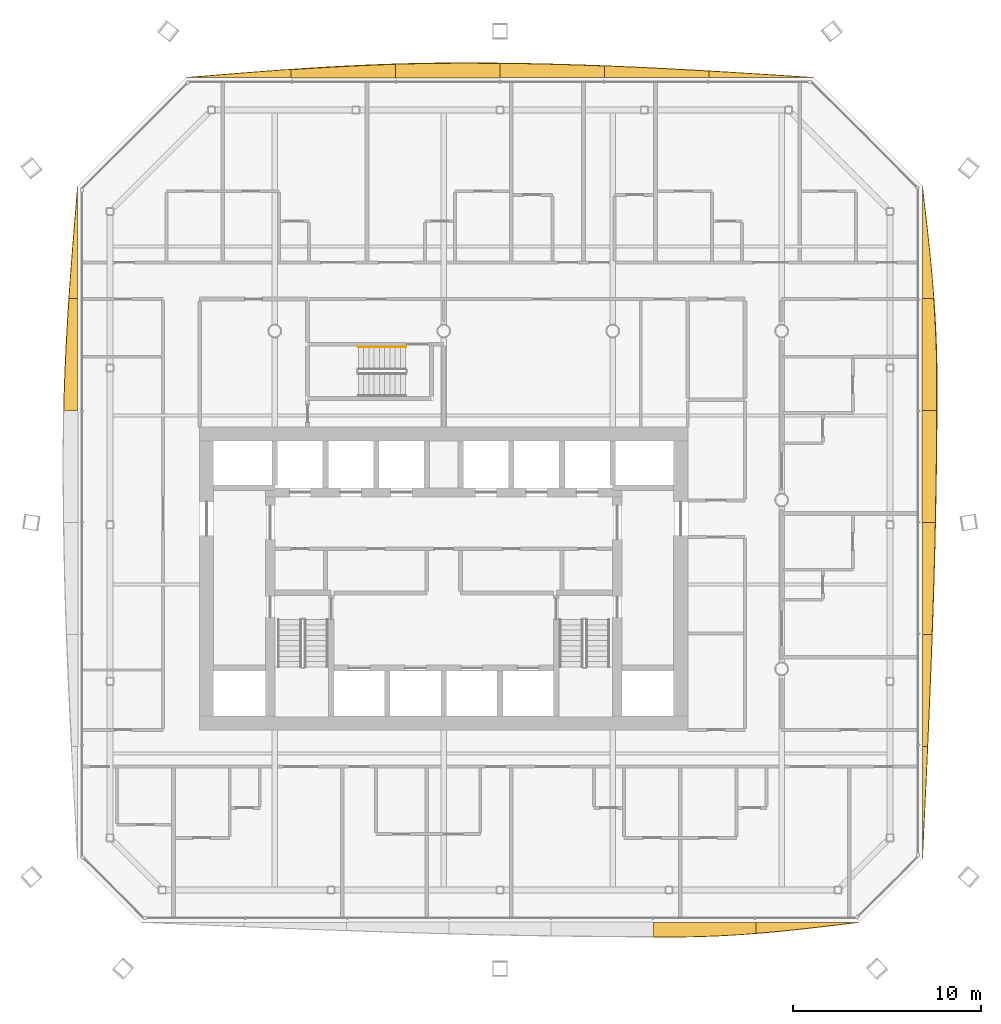
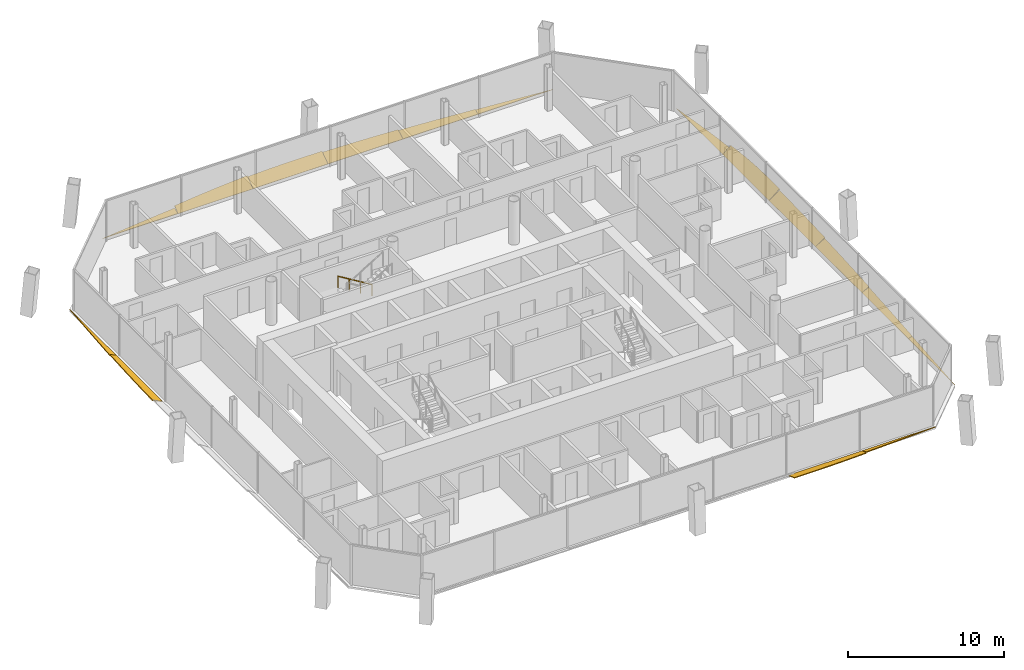
# One storey, part 21 of 21: 16 shading devices, 1 railing.
"""IFC4 building model written with IfcOpenShell, lengths in metres."""

import ifcopenshell
import ifcopenshell.guid

model = None  # the IFC model being written
_history = None  # IfcOwnerHistory: only IFC2X3 demands one
_inside = {}  # id of a spatial element -> (the spatial element, [elements in it])
_under = {}  # id of a project, library or spatial element -> (it, [spatial elements below it])
_declared = {}  # id of a project -> (the project, [libraries it declares])
_typed = {}  # id of a type object -> (the type object, [elements of that type])
_made_of = {}  # id of a material, layer set ... -> (it, [elements and type objects made of it])


def new_model(schema):
    """Start an empty IFC model of exactly this schema.

    Asked for "IFC4X3", IfcOpenShell would pick the latest addendum, in which some entities
    have other attributes; the version numbers below select the first issue.
    IFC2X3 requires an IfcOwnerHistory on every rooted entity: one is made here for all.
    """
    global model, _history
    if schema == "IFC4X3":
        model = ifcopenshell.file(schema_version=(4, 3, 0, 0))
    else:
        model = ifcopenshell.file(schema=schema)
    _inside.clear()
    _under.clear()
    _declared.clear()
    _typed.clear()
    _made_of.clear()
    _history = None
    if model.schema == "IFC2X3":
        org = make("IfcOrganization", Name="unknown")
        user = make(
            "IfcPersonAndOrganization",
            ThePerson=make("IfcPerson", FamilyName="unknown"),
            TheOrganization=org,
        )
        app = make(
            "IfcApplication",
            ApplicationDeveloper=org,
            Version="unknown",
            ApplicationFullName="unknown",
            ApplicationIdentifier="unknown",
        )
        _history = make(
            "IfcOwnerHistory",
            OwningUser=user,
            OwningApplication=app,
            ChangeAction="ADDED",
            CreationDate=0,
        )
    return model


def make(cls, **values):
    """One entity of the class cls with the attributes given. An attribute that is None is left unset."""
    return model.create_entity(
        cls, **{name: value for name, value in values.items() if value is not None}
    )


def rooted(cls, **values):
    """An entity with a GlobalId (a new one), such as an element, a storey or a relation."""
    return make(cls, GlobalId=ifcopenshell.guid.new(), OwnerHistory=_history, **values)


def si_unit(unit_type, name, prefix=None):
    """IfcSIUnit, for example si_unit("LENGTHUNIT", "METRE", prefix="MILLI")."""
    return make("IfcSIUnit", UnitType=unit_type, Prefix=prefix, Name=name)


def assignment(units):
    """IfcUnitAssignment: the units of a project."""
    return None if units is None else make("IfcUnitAssignment", Units=units)


def point(xyz):
    """IfcCartesianPoint."""
    return None if xyz is None else make("IfcCartesianPoint", Coordinates=xyz)


def direction(xyz):
    """IfcDirection."""
    return None if xyz is None else make("IfcDirection", DirectionRatios=xyz)


def frame(location, z_axis=None, x_axis=None):
    """IfcAxis2Placement3D, a coordinate frame: its origin and axes. An axis left out is left unset."""
    return make(
        "IfcAxis2Placement3D",
        Location=point(location),
        Axis=direction(z_axis),
        RefDirection=direction(x_axis),
    )


def frame_2d(location, x_axis=None):
    """IfcAxis2Placement2D, a coordinate frame in the plane: its origin and x axis."""
    return make(
        "IfcAxis2Placement2D", Location=point(location), RefDirection=direction(x_axis)
    )


def origin():
    """The frame at (0, 0, 0) with its axes left unset."""
    return frame((0.0, 0.0, 0.0))


def origin_2d():
    """The frame at (0, 0) in the plane with its x axis left unset."""
    return frame_2d((0.0, 0.0))


def place(relative_to, where):
    """IfcLocalPlacement: puts the frame where relative to a parent placement (None: the world)."""
    return make(
        "IfcLocalPlacement", PlacementRelTo=relative_to, RelativePlacement=where
    )


def context(
    kind, dimensions, precision=None, world=None, true_north=None, identifier=None
):
    """IfcGeometricRepresentationContext, for example the 3D "Model" context."""
    return make(
        "IfcGeometricRepresentationContext",
        ContextIdentifier=identifier,
        ContextType=kind,
        CoordinateSpaceDimension=dimensions,
        Precision=precision,
        WorldCoordinateSystem=world,
        TrueNorth=true_north,
    )


def subcontext(parent, identifier, kind, view, scale=None):
    """IfcGeometricRepresentationSubContext, for example "Body" below "Model"."""
    return make(
        "IfcGeometricRepresentationSubContext",
        ContextIdentifier=identifier,
        ContextType=kind,
        ParentContext=parent,
        TargetScale=scale,
        TargetView=view,
    )


def project(units=None, contexts=None):
    """IfcProject with its units and contexts."""
    return rooted(
        "IfcProject",
        Name="project",
        RepresentationContexts=contexts,
        UnitsInContext=assignment(units),
    )


def spatial(cls, under=None, at=None, **own):
    """A site, building, storey or space (cls), placed at a placement, below another one or the project."""
    s = rooted(cls, ObjectPlacement=at, **own)
    if under is not None:
        _under.setdefault(under.id(), (under, []))[1].append(s)
    return s


def polyline(points):
    """IfcPolyline through the points."""
    return make("IfcPolyline", Points=[point(p) for p in points])


def profile(cls, at=None, kind="AREA", **sizes):
    """A parametric profile (cls). Its sizes go by their IFC names, for example OverallWidth=200.0."""
    return make(cls, ProfileType=kind, Position=at, **sizes)


def circle(**sizes):
    """IfcCircleProfileDef."""
    return profile("IfcCircleProfileDef", **sizes)


def outline(outer, holes=None, kind="AREA"):
    """IfcArbitraryClosedProfileDef: a profile drawn as a closed curve; with holes, ...WithVoids."""
    if holes is None:
        return make("IfcArbitraryClosedProfileDef", ProfileType=kind, OuterCurve=outer)
    return make(
        "IfcArbitraryProfileDefWithVoids",
        ProfileType=kind,
        OuterCurve=outer,
        InnerCurves=holes,
    )


def extrude(swept, where, along, depth):
    """IfcExtrudedAreaSolid: the profile swept, set in the frame where, extruded along a direction by depth."""
    return make(
        "IfcExtrudedAreaSolid",
        SweptArea=swept,
        Position=where,
        ExtrudedDirection=direction(along),
        Depth=depth,
    )


def shape(context_of_items, identifier, shape_type, items):
    """IfcShapeRepresentation: the items that make up one representation, for example the "Body"."""
    return make(
        "IfcShapeRepresentation",
        ContextOfItems=context_of_items,
        RepresentationIdentifier=identifier,
        RepresentationType=shape_type,
        Items=items,
    )


def material(Name=None, Category=None):
    """IfcMaterial."""
    return make("IfcMaterial", Name=Name, Category=Category)


def layer(
    of_material, thickness, ventilated=None, Name=None, Category=None, Priority=None
):
    """IfcMaterialLayer: one layer of a wall or slab, of a material (None: an air gap)."""
    return make(
        "IfcMaterialLayer",
        Material=of_material,
        LayerThickness=thickness,
        IsVentilated=ventilated,
        Name=Name,
        Category=Category,
        Priority=Priority,
    )


def layer_set(layers, Name=None):
    """IfcMaterialLayerSet."""
    return make("IfcMaterialLayerSet", MaterialLayers=layers, LayerSetName=Name)


def made_of(thing, what):
    """Note that an element or type object is made of a material, layer set ...; save() writes the relation."""
    if what is not None:
        _made_of.setdefault(what.id(), (what, []))[1].append(thing)
    return thing


def type_object(cls, material=None, **own):
    """A type object (cls), such as IfcWallType, which elements share."""
    return made_of(rooted(cls, **own), material)


def element(
    cls,
    number,
    at=None,
    inside=None,
    cuts=None,
    type_object=None,
    material=None,
    context=None,
    identifier="Body",
    shape_type=None,
    held_by="IfcProductDefinitionShape",
    body=None,
    shapes=None,
    **own,
):
    """One element of the class cls, such as IfcWall. Its Tag is "e" and its number.

    at: its placement. inside: the storey or other place that contains it. cuts: it is an
    opening in that element (IfcRelVoidsElement). A single representation is given by context,
    identifier, shape_type and body (its items); several are given by shapes. held_by: the class
    of the entity that holds the representations. save() writes the other relations.
    """
    e = rooted(cls, Tag="e%d" % number, ObjectPlacement=at, **own)
    if body is not None:
        shapes = [shape(context, identifier, shape_type, body)]
    if shapes is not None:
        e.Representation = make(held_by, Representations=shapes)
    if inside is not None:
        _inside.setdefault(inside.id(), (inside, []))[1].append(e)
    if cuts is not None:
        rooted(
            "IfcRelVoidsElement", RelatingBuildingElement=cuts, RelatedOpeningElement=e
        )
    if type_object is not None:
        _typed.setdefault(type_object.id(), (type_object, []))[1].append(e)
    return made_of(e, material)


def aggregate(whole, parts):
    """IfcRelAggregates: a whole, such as a stair, and the parts it consists of."""
    return rooted("IfcRelAggregates", RelatingObject=whole, RelatedObjects=parts)


def save(model, path):
    """Write the relations noted so far, then the file.

    IfcRelAggregates (storeys below a building ...), IfcRelContainedInSpatialStructure (elements
    in a storey), IfcRelDefinesByType, IfcRelAssociatesMaterial and IfcRelDeclares: one each for
    every whole, place, type object, material and project.
    """
    for whole, parts in _under.values():
        aggregate(whole, parts)
    for where, things in _inside.values():
        rooted(
            "IfcRelContainedInSpatialStructure",
            RelatedElements=things,
            RelatingStructure=where,
        )
    for kind, things in _typed.values():
        rooted("IfcRelDefinesByType", RelatedObjects=things, RelatingType=kind)
    for what, things in _made_of.values():
        rooted("IfcRelAssociatesMaterial", RelatedObjects=things, RelatingMaterial=what)
    for by, libraries in _declared.values():
        rooted("IfcRelDeclares", RelatingContext=by, RelatedDefinitions=libraries)
    model.write(path)


model = new_model("IFC4")

# Units and contexts
model_context = context("Model", 3, precision=1e-05, world=origin(), true_north=direction((0.0, 1.0)))
body_context = subcontext(model_context, "Body", "Model", "MODEL_VIEW")
ifc_project = project(units=[si_unit("LENGTHUNIT", "METRE"), si_unit("AREAUNIT", "SQUARE_METRE"), si_unit("VOLUMEUNIT", "CUBIC_METRE"), si_unit("PLANEANGLEUNIT", "RADIAN"), si_unit("MASSUNIT", "GRAM", prefix="KILO")], contexts=[model_context])

# Site, building, storey
site_placement = place(None, origin())
site = spatial("IfcSite", under=ifc_project, at=site_placement, CompositionType="ELEMENT")
building_placement = place(site_placement, origin())
building = spatial("IfcBuilding", under=site, at=building_placement, Name="Tskaro Facet Tower", CompositionType="ELEMENT")
storey_placement = place(building_placement, frame((0.0, 0.0, 148.699951171875)))
storey = spatial("IfcBuildingStorey", under=building, at=storey_placement, Name="L36", CompositionType="ELEMENT", Elevation=148.699951171875)

# Shading devices
ifc_material_1 = material(Name="Bronze anodised aluminium 6063-T6", Category="aluminium")
ifc_layer = layer(ifc_material_1, 0.06005859375, Name="Bronze anodised aluminium 6063-T6")
ifc_layer_set = layer_set([ifc_layer], Name="Bronze anodised aluminium 6063-T6")
shading_device_type = type_object("IfcShadingDeviceType", Name="Bronze sun blade (FN1)", PredefinedType="USERDEFINED", material=ifc_layer_set)
shading_device_1_placement = place(storey_placement, frame((11.18017578125, -22.50146484375, 0.056396484375), z_axis=(8.34997e-07, 0.342044267718, 0.939683839874), x_axis=(1.0, -2.85606e-07, -7.84633e-07)))
element("IfcShadingDevice", 1, at=shading_device_1_placement, inside=storey, type_object=shading_device_type, Name="Fin blade south 6", ObjectType="FIN", PredefinedType="USERDEFINED", context=body_context, shape_type="SweptSolid", body=[
    extrude(outline(polyline([(0.0, 0.0), (5.453369140623099, 2.886989584780778e-22), (5.453369140547686, -0.6292962168709179), (4.7717285155624545, -0.6835904763631871), (4.090087890592552, -0.730083709942094), (3.408447265620355, -0.7680041657064322), (2.7265625000729687, -0.7968095067549643), (2.044921875008832, -0.816583239988989), (1.3632812500466103, -0.8266995216059706), (0.9816894532069896, -0.8282430254083833), (0.6816406250123663, -0.828013610408414), (-7.474738104329136e-11, -0.8270124435072383), (0.0, 0.0)])), origin(), (0.0, 0.0, -1.0), 0.06005859375),
])
shading_device_2_placement = place(storey_placement, frame((16.633544921875, -22.49658203125, 0.054443359375), z_axis=(2.45085e-06, 0.422479565405, 0.906372449277), x_axis=(0.999999999997, -1.035434e-06, -2.221383e-06)))
element("IfcShadingDevice", 2, at=shading_device_2_placement, inside=storey, type_object=shading_device_type, Name="Fin blade south 7", ObjectType="FIN", PredefinedType="USERDEFINED", context=body_context, shape_type="SweptSolid", body=[
    extrude(outline(polyline([(0.0, 0.0), (5.453369140608622, 5.773979169561556e-22), (4.771728515545389, -0.09240294935744643), (4.090087890808441, -0.18393576285584673), (3.4084472654233573, -0.2731676020525526), (2.7268066405115463, -0.35934646899961986), (2.0451660158937104, -0.4411596631655025), (1.3632812501864746, -0.5179433375414502), (0.6816406247133315, -0.5886060739321667), (-2.931196365066632e-11, -0.652395874389708), (0.0, 0.0)])), origin(), (0.0, 0.0, -1.0), 0.06005859375),
])
shading_device_3_placement = place(storey_placement, frame((25.50146484375, -19.0869140625, 0.056396484375), z_axis=(-0.342343713569, 2.509793e-05, 0.939574787417), x_axis=(8.592119e-06, 0.999999999685, -2.3581382e-05)))
element("IfcShadingDevice", 3, at=shading_device_3_placement, inside=storey, type_object=shading_device_type, Name="Fin blade east 1", ObjectType="FIN", PredefinedType="USERDEFINED", context=body_context, shape_type="SweptSolid", body=[
    extrude(outline(polyline([(0.0, 0.0), (5.963867185621662, 0.0), (5.963867189363469, -0.2985036873533127), (5.218261719226414, -0.2626690910671219), (4.472900389178398, -0.2260627496449897), (3.7272949221649485, -0.18914343983872914), (2.9819335915810505, -0.1517653532806556), (2.236328124031718, -0.11407429833845367), (1.4909667950096237, -0.07615385502034526), (0.7453613253626062, -0.03823341170223685), (0.0, 0.0)])), origin(), (0.0, 0.0, -1.0), 0.06005859375),
])
shading_device_4_placement = place(storey_placement, frame((25.49658203125, -13.123046875, 0.054443359375), z_axis=(-0.422565104982, 1.8417371e-05, 0.906332572355), x_axis=(7.782538e-06, 0.99999999983, -1.6692264e-05)))
element("IfcShadingDevice", 4, at=shading_device_4_placement, inside=storey, type_object=shading_device_type, Name="Fin blade east 2", ObjectType="FIN", PredefinedType="USERDEFINED", context=body_context, shape_type="SweptSolid", body=[
    extrude(outline(polyline([(0.0, 0.0), (5.963623045863571, 0.0), (5.963623048351649, -0.5774705994648798), (5.218261717287552, -0.5476479100346434), (4.472656248324108, -0.5164093616743028), (3.727294922436038, -0.4843006648941296), (2.981689452398135, -0.4512037124022645), (2.236328123535575, -0.4170153388898564), (1.4907226564984741, -0.38195681695761563), (0.7453613284614901, -0.34613131191439317), (-1.2003358024977896e-09, -0.30953882376018904), (0.0, 0.0)])), origin(), (0.0, 0.0, -1.0), 0.06005859375),
])
shading_device_5_placement = place(storey_placement, frame((25.491943359375, -7.159423828125, 0.052001953125), z_axis=(-0.500014380531, 1.1975839e-05, 0.866017100939), x_axis=(5.988092e-06, 0.999999999928, -1.0371281e-05)))
element("IfcShadingDevice", 5, at=shading_device_5_placement, inside=storey, type_object=shading_device_type, Name="Fin blade east 3", ObjectType="FIN", PredefinedType="USERDEFINED", context=body_context, shape_type="SweptSolid", body=[
    extrude(outline(polyline([(0.0, 0.0), (5.96386718707233, 5.05159200086134e-21), (5.963867188367139, -0.8033868149134773), (5.218505858171968, -0.7840372688169972), (4.472900390170336, -0.763142277645499), (3.727539062688335, -0.740278981486385), (2.981933594867824, -0.7159923140756338), (2.236572263964778, -0.6901929192803269), (1.4909667967172082, -0.6630595093663012), (0.7456054689191557, -0.6342912982443392), (-2.875227713624868e-10, -0.6044332196504196), (0.0, 0.0)])), origin(), (0.0, 0.0, -1.0), 0.06005859375),
])
shading_device_6_placement = place(storey_placement, frame((25.487548828125, -1.195556640625, 0.04931640625), z_axis=(-0.573472498491, 2.119548e-06, 0.819224812533), x_axis=(1.215502e-06, 0.999999999998, -1.736386e-06)))
element("IfcShadingDevice", 6, at=shading_device_6_placement, inside=storey, type_object=shading_device_type, Name="Fin blade east 4", ObjectType="FIN", PredefinedType="USERDEFINED", context=body_context, shape_type="SweptSolid", body=[
    extrude(outline(polyline([(0.0, 0.0), (5.963867187486604, 0.0), (5.963867187553838, -0.9455768430969093), (5.218505859472771, -0.9404966449047699), (4.472900390809043, -0.933316364637385), (3.7275390623887286, -0.9241760102289565), (2.981933593682506, -0.9131355798030301), (2.2365722656436198, -0.8999950673018577), (1.49096679659815, -0.8848944806596423), (0.7456054688135237, -0.8680938240576764), (2.231305168864604e-11, -0.8493330933146672), (0.0, 0.0)])), origin(), (0.0, 0.0, -1.0), 0.06005859375),
])
shading_device_7_placement = place(storey_placement, frame((25.4833984375, 4.768310546875, 0.0458984375), z_axis=(-0.642847071991, 8.935912e-06, 0.765994544336), x_axis=(5.744425e-06, 0.99999999996, -6.84486e-06)))
element("IfcShadingDevice", 7, at=shading_device_7_placement, inside=storey, type_object=shading_device_type, Name="Fin blade east 5", ObjectType="FIN", PredefinedType="USERDEFINED", context=body_context, shape_type="SweptSolid", body=[
    extrude(outline(polyline([(0.0, 0.0), (5.963867187261892, 0.0), (5.963867188260371, -0.7976716786584308), (5.2182617176714645, -0.8635042632947705), (4.4729003901575854, -0.9182701422013813), (3.7275390625575096, -0.961251339131897), (2.9819335928437973, -0.9922608436995093), (2.2365722658773084, -1.010640810259585), (1.5505371101007888, -1.0160172180385079), (1.490966797603167, -1.0160172180385079), (0.7456054689114608, -1.01479834123345), (-1.9571772901588941e-10, -1.0113287212050848), (0.0, 0.0)])), origin(), (0.0, 0.0, -1.0), 0.06005859375),
])
shading_device_8_placement = place(storey_placement, frame((25.50146484375, 10.732177734375, 0.056396484375), z_axis=(-0.342069720434, -6.705322e-06, 0.939674574689), x_axis=(-2.293688e-06, 0.999999999978, 6.300821e-06)))
element("IfcShadingDevice", 8, at=shading_device_8_placement, inside=storey, type_object=shading_device_type, Name="Fin blade east 6", ObjectType="FIN", PredefinedType="USERDEFINED", context=body_context, shape_type="SweptSolid", body=[
    extrude(outline(polyline([(0.0, 0.0), (5.963867187365929, 0.0), (5.218261719114536, -0.09329939103975866), (4.4729003912114775, -0.18528469215900104), (3.727294921010138, -0.27510063891314357), (2.981933593120401, -0.361370754874388), (2.2363281254556333, -0.44301036286018436), (1.4909667968908948, -0.5188512725726405), (0.7453613278561434, -0.5882052457978575), (-2.5697082904302355e-10, -0.6503005312065937), (0.0, 0.0)])), origin(), (0.0, 0.0, -1.0), 0.06005859375),
])
shading_device_9_placement = place(storey_placement, frame((19.696044921875, 22.50146484375, 0.056396484375), z_axis=(-1.8314384e-05, -0.342265161506, 0.939603405104), x_axis=(-0.999999999832, 6.268376e-06, -1.7208258e-05)))
element("IfcShadingDevice", 9, at=shading_device_9_placement, inside=storey, type_object=shading_device_type, Name="Fin blade north 1", ObjectType="FIN", PredefinedType="USERDEFINED", context=body_context, shape_type="SweptSolid", body=[
    extrude(outline(polyline([(0.0, 0.0), (5.565429686566631, 0.0), (5.565429688455553, -0.37334345040507266), (4.8696289049658565, -0.3294784234654613), (4.174072264382128, -0.28452869341447906), (3.4782714854544503, -0.23849426025212592), (2.782714842560636, -0.1917716410019345), (2.087158200807326, -0.1445066701960577), (1.391357423770796, -0.09661578700403549), (0.6958007800972602, -0.04834967391724771), (0.0, 0.0)])), origin(), (0.0, 0.0, -1.0), 0.06005859375),
])
shading_device_10_placement = place(storey_placement, frame((14.130615234375, 22.49658203125, 0.054443359375), z_axis=(4.087781e-06, -0.422538456457, 0.906344996565), x_axis=(-0.999999999992, -1.727245e-06, 3.70494e-06)))
element("IfcShadingDevice", 10, at=shading_device_10_placement, inside=storey, type_object=shading_device_type, Name="Fin blade north 2", ObjectType="FIN", PredefinedType="USERDEFINED", context=body_context, shape_type="SweptSolid", body=[
    extrude(outline(polyline([(0.0, 0.0), (5.565185546828503, 0.0), (5.565185547005622, -0.6909499292322223), (4.8696289060364295, -0.6599326559766795), (4.173828125102185, -0.6268357012411659), (3.478271484548358, -0.5915559062228344), (2.7827148437499507, -0.5540932709216849), (2.0869140625648, -0.5147722297744933), (1.3913574218212124, -0.4738140584151883), (0.695556640269191, -0.43121875684376987), (6.325858215751403e-11, -0.38708948386308495), (0.0, 0.0)])), origin(), (0.0, 0.0, -1.0), 0.06005859375),
])
shading_device_11_placement = place(storey_placement, frame((8.5654296875, 22.491943359375, 0.052001953125), z_axis=(-1.3608113e-05, -0.499975032699, 0.866039818075), x_axis=(-0.999999999907, 6.803717e-06, -1.1785168e-05)))
element("IfcShadingDevice", 11, at=shading_device_11_placement, inside=storey, type_object=shading_device_type, Name="Fin blade north 3", ObjectType="FIN", PredefinedType="USERDEFINED", context=body_context, shape_type="SweptSolid", body=[
    extrude(outline(polyline([(0.0, 0.0), (5.565429686984695, 0.0), (5.565429688397659, -0.8859662738924958), (4.869873046799708, -0.875579811744201), (4.174072265229571, -0.8623466092692386), (3.4785156249372062, -0.8462666664676087), (2.782714843011592, -0.8271285478368322), (2.087158202363748, -0.805143688879388), (1.3913574217437195, -0.7803120895952764), (0.695800781185286, -0.7529672497039557), (-5.615064252126141e-10, -0.7231091692054258), (0.0, 0.0)])), origin(), (0.0, 0.0, -1.0), 0.06005859375),
])
shading_device_12_placement = place(storey_placement, frame((3.0, 22.487548828125, 0.04931640625), z_axis=(3.023034e-06, -0.573507584863, 0.819200250303), x_axis=(-0.999999999995, -1.733733e-06, 2.47647e-06)))
element("IfcShadingDevice", 12, at=shading_device_12_placement, inside=storey, type_object=shading_device_type, Name="Fin blade north 4", ObjectType="FIN", PredefinedType="USERDEFINED", context=body_context, shape_type="SweptSolid", body=[
    extrude(outline(polyline([(0.0, 0.0), (5.56542968747457, -1.1785255777349262e-21), (5.565429687327305, -0.8821143693231613), (4.86962890649978, -0.9057552981626773), (4.174072265814363, -0.9245160280218991), (3.478271484444332, -0.9381965588397169), (2.7827148436396856, -0.9467968906161304), (2.0869140625736993, -0.95011702329003), (2.0034179688240807, -0.95011702329003), (1.3913574218311555, -0.9488969735449564), (0.6955566402827775, -0.9443567911259834), (-2.1682932106060874e-10, -0.9366364925333222), (0.0, 0.0)])), origin(), (0.0, 0.0, -1.0), 0.06005859375),
])
shading_device_13_placement = place(storey_placement, frame((-2.5654296875, 22.4833984375, 0.0458984375), z_axis=(7.189206e-06, -0.642859964494, 0.76598372437), x_axis=(-0.999999999974, -4.621653e-06, 5.506815e-06)))
element("IfcShadingDevice", 13, at=shading_device_13_placement, inside=storey, type_object=shading_device_type, Name="Fin blade north 5", ObjectType="FIN", PredefinedType="USERDEFINED", context=body_context, shape_type="SweptSolid", body=[
    extrude(outline(polyline([(0.0, 0.0), (5.565185546731183, 2.3569477578932832e-21), (5.5651855470555915, -0.5696051909789372), (4.8696289060468825, -0.6304353876781728), (4.173828124724908, -0.6877959650783654), (3.4782714843396576, -0.7416869231795156), (2.7824707029928324, -0.7910763940454171), (2.0869140621505227, -0.8363083336548052), (1.3913574220999638, -0.8768517782837324), (0.6955566408717258, -0.9125497796986755), (-2.8420454821889083e-10, -0.9434023378996346), (0.0, 0.0)])), origin(), (0.0, 0.0, -1.0), 0.06005859375),
])
shading_device_14_placement = place(storey_placement, frame((-8.130615234375, 22.50146484375, 0.056396484375), z_axis=(2.3316319e-05, -0.342091498935, 0.939666646111), x_axis=(-0.999999999728, -7.976314e-06, 2.1909567e-05)))
element("IfcShadingDevice", 14, at=shading_device_14_placement, inside=storey, type_object=shading_device_type, Name="Fin blade north 6", ObjectType="FIN", PredefinedType="USERDEFINED", context=body_context, shape_type="SweptSolid", body=[
    extrude(outline(polyline([(0.0, 0.0), (5.5654296859871755, 4.714102310939705e-21), (4.869628903421488, -0.06155294533817292), (4.17407226537542, -0.12264706907167497), (3.478271485250088, -0.18319885276812622), (2.782714842841028, -0.24266595639047583), (2.0871582048196644, -0.30090248756876836), (1.3913574218103753, -0.35751199863590843), (0.695800778957713, -0.41203566798722524), (-3.0408477442051143e-09, -0.46424408482038326), (0.0, 0.0)])), origin(), (0.0, 0.0, -1.0), 0.06005859375),
])
shading_device_15_placement = place(storey_placement, frame((-19.50146484375, 16.696044921875, 0.056396484375), z_axis=(0.342126692353, 7.41368e-06, 0.939653833241), x_axis=(2.536418e-06, -0.999999999973, 6.966293e-06)))
element("IfcShadingDevice", 15, at=shading_device_15_placement, inside=storey, type_object=shading_device_type, Name="Fin blade west 1", ObjectType="FIN", PredefinedType="USERDEFINED", context=body_context, shape_type="SweptSolid", body=[
    extrude(outline(polyline([(0.0, 0.0), (5.963867187336105, 2.52579600043067e-21), (5.963867187697625, -0.49367528181686415), (5.21850585867592, -0.4390680893613094), (4.472900390738625, -0.38168683141673543), (3.727539062196486, -0.32190679630691443), (2.98193359288103, -0.2600409187304864), (2.236572265123756, -0.19640213338609136), (1.4909667975177032, -0.1317621903206441), (0.7456054696121045, -0.06603756250964203), (0.0, 0.0)])), origin(), (0.0, 0.0, -1.0), 0.06005859375),
])
shading_device_16_placement = place(storey_placement, frame((-19.49658203125, 10.732177734375, 0.054443359375), z_axis=(0.422558656915, 1.0006163e-05, 0.906335578782), x_axis=(4.228191e-06, -0.99999999995, 9.068942e-06)))
element("IfcShadingDevice", 16, at=shading_device_16_placement, inside=storey, type_object=shading_device_type, Name="Fin blade west 2", ObjectType="FIN", PredefinedType="USERDEFINED", context=body_context, shape_type="SweptSolid", body=[
    extrude(outline(polyline([(0.0, 0.0), (5.963867187201439, 0.0), (5.9638671883961845, -0.8219069384332036), (5.218261719012397, -0.7995178660056694), (4.472900389939913, -0.7719961266078849), (3.7272949211105817, -0.7396661573091283), (2.981933593774378, -0.7025279581093995), (2.2363281256490537, -0.6608028023433734), (1.4909667959200374, -0.6149332366803992), (0.7456054683905365, -0.565125588589684), (3.710162801882574e-10, -0.511822404740577), (0.0, 0.0)])), origin(), (0.0, 0.0, -1.0), 0.06005859375),
])

# Railing
ifc_material_2 = material(Name="Stainless steel", Category="steel")
railing_type = type_object("IfcRailingType", Name="RL-HANDRAIL-900", PredefinedType="HANDRAIL", material=ifc_material_2)
railing_placement = place(storey_placement, frame((-2.02490234375, 8.14990234375, 0.170166015625)))
element("IfcRailing", 17, at=railing_placement, inside=storey, type_object=railing_type, Name="L36 ST-3 stair handrail 1", PredefinedType="HANDRAIL", context=body_context, shape_type="SweptSolid", body=[
    extrude(circle(Radius=0.02392578125, at=origin_2d()), frame((0.0, 0.0, 0.8759765625), z_axis=(-0.854821627497, 0.0, 0.518921945155), x_axis=(0.0, -1.0, 0.0)), (0.0, 0.0, 1.0), 2.947998046875),
    extrude(circle(Radius=0.02099609375, at=origin_2d()), origin(), (0.0, 0.0, 1.0), 0.851806640625),
    extrude(circle(Radius=0.02099609375, at=origin_2d()), frame((-0.840087890625, 0.0, 0.510009765625)), (0.0, 0.0, 1.0), 0.851806640625),
    extrude(circle(Radius=0.02099609375, at=origin_2d()), frame((-1.679931640625, 0.0, 1.019775390625)), (0.0, 0.0, 1.0), 0.851806640625),
    extrude(circle(Radius=0.02099609375, at=origin_2d()), frame((-2.52001953125, 0.0, 1.52978515625)), (0.0, 0.0, 1.0), 0.851806640625),
])

save(model, "model.ifc")
